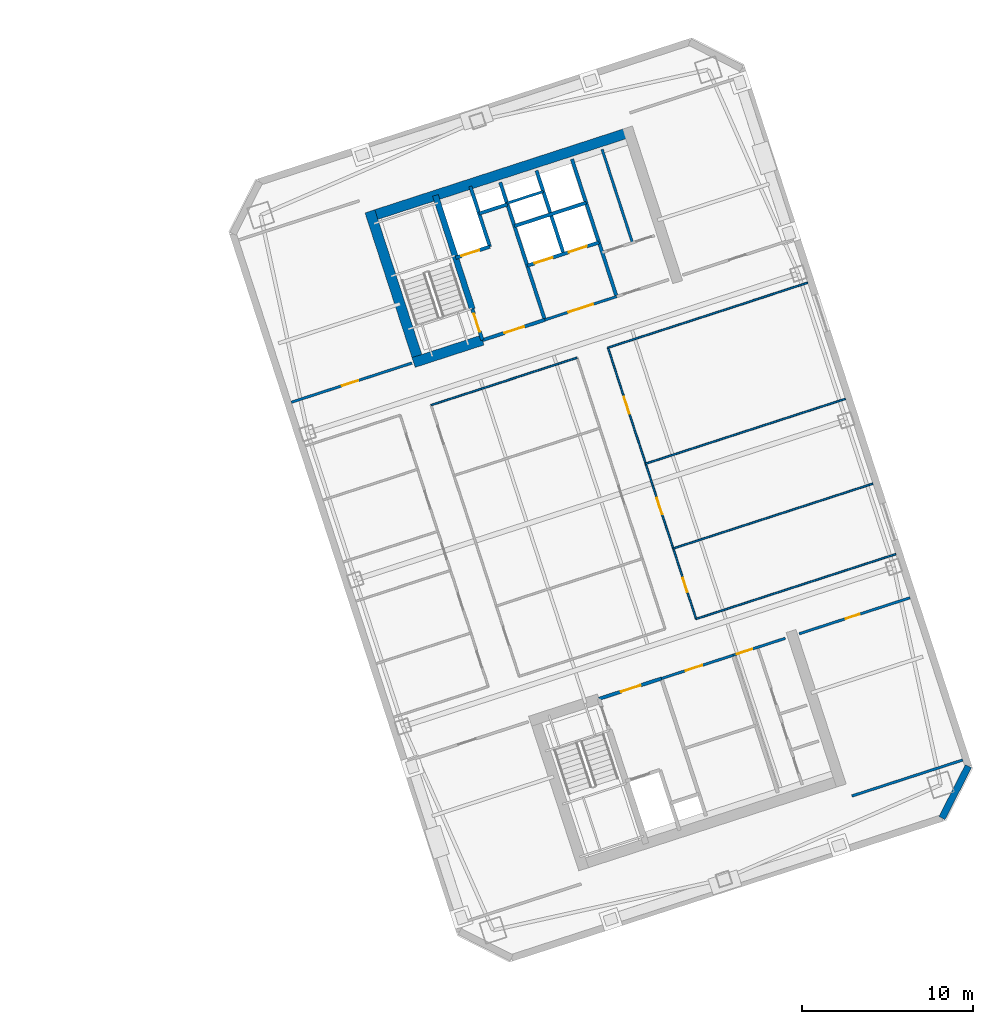
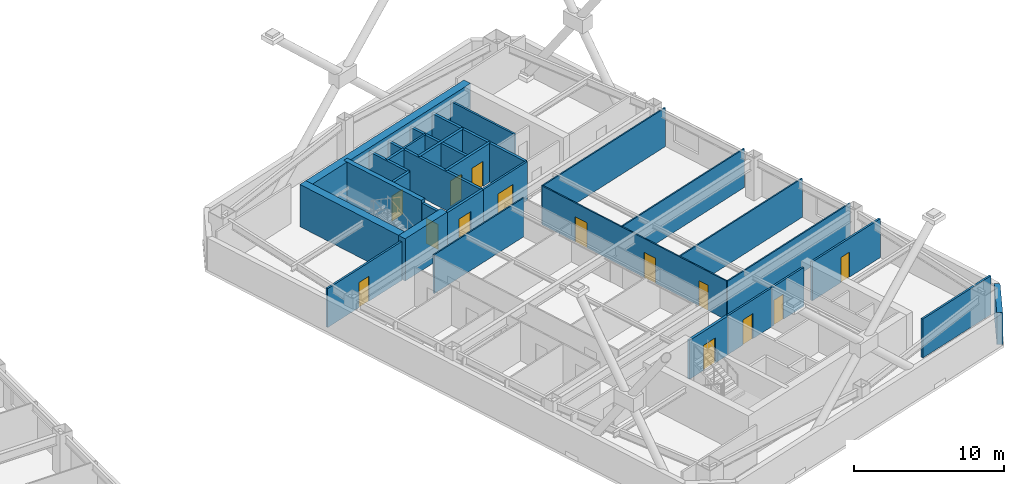
# One storey, part 10 of 14: 30 walls, 14 doors, 14 openings.
"""IFC4 building model written with IfcOpenShell, lengths in metres."""

import ifcopenshell
import ifcopenshell.guid

model = None  # the IFC model being written
_history = None  # IfcOwnerHistory: only IFC2X3 demands one
_inside = {}  # id of a spatial element -> (the spatial element, [elements in it])
_under = {}  # id of a project, library or spatial element -> (it, [spatial elements below it])
_declared = {}  # id of a project -> (the project, [libraries it declares])
_typed = {}  # id of a type object -> (the type object, [elements of that type])
_made_of = {}  # id of a material, layer set ... -> (it, [elements and type objects made of it])


def new_model(schema):
    """Start an empty IFC model of exactly this schema.

    Asked for "IFC4X3", IfcOpenShell would pick the latest addendum, in which some entities
    have other attributes; the version numbers below select the first issue.
    IFC2X3 requires an IfcOwnerHistory on every rooted entity: one is made here for all.
    """
    global model, _history
    if schema == "IFC4X3":
        model = ifcopenshell.file(schema_version=(4, 3, 0, 0))
    else:
        model = ifcopenshell.file(schema=schema)
    _inside.clear()
    _under.clear()
    _declared.clear()
    _typed.clear()
    _made_of.clear()
    _history = None
    if model.schema == "IFC2X3":
        org = make("IfcOrganization", Name="unknown")
        user = make(
            "IfcPersonAndOrganization",
            ThePerson=make("IfcPerson", FamilyName="unknown"),
            TheOrganization=org,
        )
        app = make(
            "IfcApplication",
            ApplicationDeveloper=org,
            Version="unknown",
            ApplicationFullName="unknown",
            ApplicationIdentifier="unknown",
        )
        _history = make(
            "IfcOwnerHistory",
            OwningUser=user,
            OwningApplication=app,
            ChangeAction="ADDED",
            CreationDate=0,
        )
    return model


def make(cls, **values):
    """One entity of the class cls with the attributes given. An attribute that is None is left unset."""
    return model.create_entity(
        cls, **{name: value for name, value in values.items() if value is not None}
    )


def rooted(cls, **values):
    """An entity with a GlobalId (a new one), such as an element, a storey or a relation."""
    return make(cls, GlobalId=ifcopenshell.guid.new(), OwnerHistory=_history, **values)


def si_unit(unit_type, name, prefix=None):
    """IfcSIUnit, for example si_unit("LENGTHUNIT", "METRE", prefix="MILLI")."""
    return make("IfcSIUnit", UnitType=unit_type, Prefix=prefix, Name=name)


def assignment(units):
    """IfcUnitAssignment: the units of a project."""
    return None if units is None else make("IfcUnitAssignment", Units=units)


def point(xyz):
    """IfcCartesianPoint."""
    return None if xyz is None else make("IfcCartesianPoint", Coordinates=xyz)


def direction(xyz):
    """IfcDirection."""
    return None if xyz is None else make("IfcDirection", DirectionRatios=xyz)


def frame(location, z_axis=None, x_axis=None):
    """IfcAxis2Placement3D, a coordinate frame: its origin and axes. An axis left out is left unset."""
    return make(
        "IfcAxis2Placement3D",
        Location=point(location),
        Axis=direction(z_axis),
        RefDirection=direction(x_axis),
    )


def frame_2d(location, x_axis=None):
    """IfcAxis2Placement2D, a coordinate frame in the plane: its origin and x axis."""
    return make(
        "IfcAxis2Placement2D", Location=point(location), RefDirection=direction(x_axis)
    )


def origin():
    """The frame at (0, 0, 0) with its axes left unset."""
    return frame((0.0, 0.0, 0.0))


def place(relative_to, where):
    """IfcLocalPlacement: puts the frame where relative to a parent placement (None: the world)."""
    return make(
        "IfcLocalPlacement", PlacementRelTo=relative_to, RelativePlacement=where
    )


def context(
    kind, dimensions, precision=None, world=None, true_north=None, identifier=None
):
    """IfcGeometricRepresentationContext, for example the 3D "Model" context."""
    return make(
        "IfcGeometricRepresentationContext",
        ContextIdentifier=identifier,
        ContextType=kind,
        CoordinateSpaceDimension=dimensions,
        Precision=precision,
        WorldCoordinateSystem=world,
        TrueNorth=true_north,
    )


def subcontext(parent, identifier, kind, view, scale=None):
    """IfcGeometricRepresentationSubContext, for example "Body" below "Model"."""
    return make(
        "IfcGeometricRepresentationSubContext",
        ContextIdentifier=identifier,
        ContextType=kind,
        ParentContext=parent,
        TargetScale=scale,
        TargetView=view,
    )


def project(units=None, contexts=None):
    """IfcProject with its units and contexts."""
    return rooted(
        "IfcProject",
        Name="project",
        RepresentationContexts=contexts,
        UnitsInContext=assignment(units),
    )


def spatial(cls, under=None, at=None, **own):
    """A site, building, storey or space (cls), placed at a placement, below another one or the project."""
    s = rooted(cls, ObjectPlacement=at, **own)
    if under is not None:
        _under.setdefault(under.id(), (under, []))[1].append(s)
    return s


def profile(cls, at=None, kind="AREA", **sizes):
    """A parametric profile (cls). Its sizes go by their IFC names, for example OverallWidth=200.0."""
    return make(cls, ProfileType=kind, Position=at, **sizes)


def rectangle(**sizes):
    """IfcRectangleProfileDef."""
    return profile("IfcRectangleProfileDef", **sizes)


def extrude(swept, where, along, depth):
    """IfcExtrudedAreaSolid: the profile swept, set in the frame where, extruded along a direction by depth."""
    return make(
        "IfcExtrudedAreaSolid",
        SweptArea=swept,
        Position=where,
        ExtrudedDirection=direction(along),
        Depth=depth,
    )


def shape(context_of_items, identifier, shape_type, items):
    """IfcShapeRepresentation: the items that make up one representation, for example the "Body"."""
    return make(
        "IfcShapeRepresentation",
        ContextOfItems=context_of_items,
        RepresentationIdentifier=identifier,
        RepresentationType=shape_type,
        Items=items,
    )


def material(Name=None, Category=None):
    """IfcMaterial."""
    return make("IfcMaterial", Name=Name, Category=Category)


def layer(
    of_material, thickness, ventilated=None, Name=None, Category=None, Priority=None
):
    """IfcMaterialLayer: one layer of a wall or slab, of a material (None: an air gap)."""
    return make(
        "IfcMaterialLayer",
        Material=of_material,
        LayerThickness=thickness,
        IsVentilated=ventilated,
        Name=Name,
        Category=Category,
        Priority=Priority,
    )


def layer_set(layers, Name=None):
    """IfcMaterialLayerSet."""
    return make("IfcMaterialLayerSet", MaterialLayers=layers, LayerSetName=Name)


def made_of(thing, what):
    """Note that an element or type object is made of a material, layer set ...; save() writes the relation."""
    if what is not None:
        _made_of.setdefault(what.id(), (what, []))[1].append(thing)
    return thing


def type_object(cls, material=None, **own):
    """A type object (cls), such as IfcWallType, which elements share."""
    return made_of(rooted(cls, **own), material)


def element(
    cls,
    number,
    at=None,
    inside=None,
    cuts=None,
    type_object=None,
    material=None,
    context=None,
    identifier="Body",
    shape_type=None,
    held_by="IfcProductDefinitionShape",
    body=None,
    shapes=None,
    **own,
):
    """One element of the class cls, such as IfcWall. Its Tag is "e" and its number.

    at: its placement. inside: the storey or other place that contains it. cuts: it is an
    opening in that element (IfcRelVoidsElement). A single representation is given by context,
    identifier, shape_type and body (its items); several are given by shapes. held_by: the class
    of the entity that holds the representations. save() writes the other relations.
    """
    e = rooted(cls, Tag="e%d" % number, ObjectPlacement=at, **own)
    if body is not None:
        shapes = [shape(context, identifier, shape_type, body)]
    if shapes is not None:
        e.Representation = make(held_by, Representations=shapes)
    if inside is not None:
        _inside.setdefault(inside.id(), (inside, []))[1].append(e)
    if cuts is not None:
        rooted(
            "IfcRelVoidsElement", RelatingBuildingElement=cuts, RelatedOpeningElement=e
        )
    if type_object is not None:
        _typed.setdefault(type_object.id(), (type_object, []))[1].append(e)
    return made_of(e, material)


def fill(opening, filler):
    """IfcRelFillsElement: the door or window that sits in an opening."""
    return rooted(
        "IfcRelFillsElement",
        RelatingOpeningElement=opening,
        RelatedBuildingElement=filler,
    )


def aggregate(whole, parts):
    """IfcRelAggregates: a whole, such as a stair, and the parts it consists of."""
    return rooted("IfcRelAggregates", RelatingObject=whole, RelatedObjects=parts)


def save(model, path):
    """Write the relations noted so far, then the file.

    IfcRelAggregates (storeys below a building ...), IfcRelContainedInSpatialStructure (elements
    in a storey), IfcRelDefinesByType, IfcRelAssociatesMaterial and IfcRelDeclares: one each for
    every whole, place, type object, material and project.
    """
    for whole, parts in _under.values():
        aggregate(whole, parts)
    for where, things in _inside.values():
        rooted(
            "IfcRelContainedInSpatialStructure",
            RelatedElements=things,
            RelatingStructure=where,
        )
    for kind, things in _typed.values():
        rooted("IfcRelDefinesByType", RelatedObjects=things, RelatingType=kind)
    for what, things in _made_of.values():
        rooted("IfcRelAssociatesMaterial", RelatedObjects=things, RelatingMaterial=what)
    for by, libraries in _declared.values():
        rooted("IfcRelDeclares", RelatingContext=by, RelatedDefinitions=libraries)
    model.write(path)


model = new_model("IFC4")

# Units and contexts
model_context = context("Model", 3, precision=1e-05, world=origin(), true_north=direction((0.0, 1.0)))
body_context = subcontext(model_context, "Body", "Model", "MODEL_VIEW")
ifc_project = project(units=[si_unit("LENGTHUNIT", "METRE"), si_unit("AREAUNIT", "SQUARE_METRE"), si_unit("VOLUMEUNIT", "CUBIC_METRE"), si_unit("PLANEANGLEUNIT", "RADIAN"), si_unit("MASSUNIT", "GRAM", prefix="KILO")], contexts=[model_context])

# Site, building, storey
site_placement = place(None, origin())
site = spatial("IfcSite", under=ifc_project, at=site_placement, CompositionType="ELEMENT")
building_placement = place(site_placement, origin())
building = spatial("IfcBuilding", under=site, at=building_placement, Name="Qiaolan Cultural Towers", CompositionType="ELEMENT")
storey_placement = place(building_placement, frame((0.0, 0.0, 149.5)))
storey = spatial("IfcBuildingStorey", under=building, at=storey_placement, Name="L39", CompositionType="ELEMENT", Elevation=149.5)

# Walls
ifc_material_1 = material(Name="Concrete C50", Category="concrete")
ifc_layer_1 = layer(ifc_material_1, 0.35009765625)
ifc_layer_set_1 = layer_set([ifc_layer_1], Name="Concrete C50")
wall_type_1 = type_object("IfcWallType", Name="WL-CORE-350", PredefinedType="SHEAR", material=ifc_layer_set_1)
wall_1_placement = place(storey_placement, frame((82.513671875, 45.13134765625, 0.0), z_axis=(0.0, 0.0, 1.0), x_axis=(-0.308988790936, 0.951065679686, 0.0)))
element("IfcWall", 1, at=wall_1_placement, inside=storey, type_object=wall_type_1, Name="L39 T2-CN Stair Core Dividing Web", PredefinedType="SHEAR", context=body_context, shape_type="SweptSolid", body=[
    extrude(rectangle(XDim=6.97998046875, YDim=0.35009765625, at=frame_2d((3.489990234375, 0.0))), origin(), (0.0, 0.0, 1.0), 3.449951171875),
])
ifc_material_2 = material(Name="Concrete C55", Category="concrete")
ifc_layer_2 = layer(ifc_material_2, 0.60009765625)
ifc_layer_set_2 = layer_set([ifc_layer_2], Name="Concrete C55")
wall_type_2 = type_object("IfcWallType", Name="WL-CORE-600", PredefinedType="SHEAR", material=ifc_layer_set_2)
wall_2_placement = place(storey_placement, frame((76.343505859375, 50.4658203125, 0.0), z_axis=(0.0, 0.0, 1.0), x_axis=(0.951055727519, 0.309019421968, 0.0)))
element("IfcWall", 2, at=wall_2_placement, inside=storey, type_object=wall_type_2, Name="L39 T2-CN Outer Core Shear Wall", PredefinedType="SHEAR", context=body_context, shape_type="SweptSolid", body=[
    extrude(rectangle(XDim=16.39990234375, YDim=0.60009765625, at=frame_2d((8.199951171875, 0.0))), origin(), (0.0, 0.0, 1.0), 3.449951171875),
])
wall_3_placement = place(storey_placement, frame((79.465576171875, 41.827880859375, 0.0), z_axis=(0.0, 0.0, 1.0), x_axis=(-0.309041232772, 0.951048640421, 0.0)))
element("IfcWall", 3, at=wall_3_placement, inside=storey, type_object=wall_type_2, Name="L39 T2-CN West Core Shear Wall", PredefinedType="SHEAR", context=body_context, shape_type="SweptSolid", body=[
    extrude(rectangle(XDim=9.47998046875, YDim=0.60009765625, at=frame_2d((4.739990234375, 0.0))), origin(), (0.0, 0.0, 1.0), 3.449951171875),
])
wall_4_placement = place(storey_placement, frame((79.08740234375, 42.0205078125, 0.0), z_axis=(0.0, 0.0, 1.0), x_axis=(0.951062550203, 0.3089984233, 0.0)))
element("IfcWall", 4, at=wall_4_placement, inside=storey, type_object=wall_type_2, Name="L39 T2-CN Stair Front Shear Wall", PredefinedType="SHEAR", context=body_context, shape_type="SweptSolid", body=[
    extrude(rectangle(XDim=4.219970703125, YDim=0.60009765625, at=frame_2d((2.10986328125, 0.0))), origin(), (0.0, 0.0, 1.0), 3.449951171875),
])
ifc_material_3 = material(Name="Precast Concrete C50 Honed Stone Pier", Category="masonry")
ifc_layer_3 = layer(ifc_material_3, 0.39990234375)
ifc_layer_set_3 = layer_set([ifc_layer_3], Name="Precast Concrete C50 Honed Stone Pier")
wall_type_3 = type_object("IfcWallType", Name="WL-EXT-PIER-400", PredefinedType="SOLIDWALL", material=ifc_layer_set_3)
wall_5_placement = place(storey_placement, frame((111.449462890625, 18.468017578125, 0.0), z_axis=(0.0, 0.0, 1.0), x_axis=(-0.454019523198, -0.890991735402, 0.0)))
element("IfcWall", 5, at=wall_5_placement, inside=storey, type_object=wall_type_3, Name="L39 East Tower Precast Pier Facade Wall F6", PredefinedType="SOLIDWALL", context=body_context, shape_type="SweptSolid", body=[
    extrude(rectangle(XDim=3.39404296875, YDim=0.39990234375, at=frame_2d((1.697021484375, 0.0))), origin(), (0.0, 0.0, 1.0), 2.610107421875),
])

# Wall, opening, door
ifc_material_4 = material(Name="Concrete C35 Fire Wall", Category="concrete")
ifc_layer_4 = layer(ifc_material_4, 0.199951171875)
ifc_layer_set_4 = layer_set([ifc_layer_4], Name="Concrete C35 Fire Wall")
wall_type_4 = type_object("IfcWallType", Name="WL-FIRE-200", PredefinedType="PARTITIONING", material=ifc_layer_set_4)
wall_6_placement = place(storey_placement, frame((89.8994140625, 22.401123046875, 0.0), z_axis=(0.0, 0.0, 1.0), x_axis=(0.951046716504, 0.309047153403, 0.0)))
wall_6 = element("IfcWall", 6, at=wall_6_placement, inside=storey, type_object=wall_type_4, Name="L39 T2-CS Firefighting Lobby Front Wall", PredefinedType="PARTITIONING", context=body_context, shape_type="SweptSolid", body=[
    extrude(rectangle(XDim=3.829833984375, YDim=0.199951171875, at=frame_2d((1.9150390625, 0.0))), origin(), (0.0, 0.0, 1.0), 3.175048828125),
])
opening_1_placement = place(wall_6_placement, frame((1.35009765625, 0.0, 0.0)))
opening_1 = element("IfcOpeningElement", 7, at=opening_1_placement, cuts=wall_6, Name="Opening FD-03", PredefinedType="OPENING", context=body_context, shape_type="SweptSolid", body=[
    extrude(rectangle(XDim=1.199951171875, YDim=2.050048828125, at=frame_2d((0.60009765625, 1.02490234375))), frame((0.0, 0.10986328125, 0.0), z_axis=(0.0, -1.0, 0.0), x_axis=(1.0, 0.0, 0.0)), (0.0, 0.0, 1.0), 0.219970703125),
])
ifc_material_5 = material(Name="Galvanized Steel Smokeproof Lobby Fire Door", Category="steel")
door_type_1 = type_object("IfcDoorType", Name="DR-FD90-1200", OperationType="NOTDEFINED", PredefinedType="DOOR", material=ifc_material_5)
door_1_placement = place(opening_1_placement, origin())
door_1 = element("IfcDoor", 8, at=door_1_placement, inside=storey, type_object=door_type_1, Name="L39 FFL-E1 Firefighting Lobby Fire Door", OperationType="SINGLE_SWING_LEFT", OverallHeight=2.050048828125, OverallWidth=1.199951171875, PredefinedType="DOOR", context=body_context, shape_type="SweptSolid", body=[
    extrude(rectangle(XDim=1.199951171875, YDim=2.050048828125, at=frame_2d((0.60009765625, 1.02490234375))), frame((0.0, 0.02490234375, 0.0), z_axis=(0.0, -1.0, 0.0), x_axis=(1.0, 0.0, 0.0)), (0.0, 0.0, 1.0), 0.050048828125),
])
fill(opening_1, door_1)

wall_7_placement = place(storey_placement, frame((83.100830078125, 43.324462890625, 0.0), z_axis=(0.0, 0.0, 1.0), x_axis=(-0.309048298632, 0.951046344356, 0.0)))
wall_7 = element("IfcWall", 9, at=wall_7_placement, inside=storey, type_object=wall_type_4, Name="L39 T2-CN Smokeproof Stair Entry Wall", PredefinedType="PARTITIONING", context=body_context, shape_type="SweptSolid", body=[
    extrude(rectangle(XDim=1.89990234375, YDim=0.199951171875, at=frame_2d((0.949951171875, 0.0))), origin(), (0.0, 0.0, 1.0), 3.175048828125),
])
opening_2_placement = place(wall_7_placement, frame((0.52001953125, 0.0, 0.0)))
opening_2 = element("IfcOpeningElement", 10, at=opening_2_placement, cuts=wall_7, Name="Opening FD-04", PredefinedType="OPENING", context=body_context, shape_type="SweptSolid", body=[
    extrude(rectangle(XDim=1.10009765625, YDim=2.050048828125, at=frame_2d((0.550048828125, 1.02490234375))), frame((0.0, 0.10986328125, 0.0), z_axis=(0.0, -1.0, 0.0), x_axis=(1.0, 0.0, 0.0)), (0.0, 0.0, 1.0), 0.219970703125),
])
ifc_material_6 = material(Name="Galvanized Steel Command Fire Door", Category="steel")
door_type_2 = type_object("IfcDoorType", Name="DR-FD90-1100", OperationType="NOTDEFINED", PredefinedType="DOOR", material=ifc_material_6)
door_2_placement = place(opening_2_placement, origin())
door_2 = element("IfcDoor", 11, at=door_2_placement, inside=storey, type_object=door_type_2, Name="L39 ST-E2 Smokeproof Stair Fire Door", OperationType="SINGLE_SWING_LEFT", OverallHeight=2.050048828125, OverallWidth=1.10009765625, PredefinedType="DOOR", context=body_context, shape_type="SweptSolid", body=[
    extrude(rectangle(XDim=1.10009765625, YDim=2.050048828125, at=frame_2d((0.550048828125, 1.02490234375))), frame((0.0, 0.02490234375, 0.0), z_axis=(0.0, -1.0, 0.0), x_axis=(1.0, 0.0, 0.0)), (0.0, 0.0, 1.0), 0.050048828125),
])
fill(opening_2, door_2)

# Wall
wall_8_placement = place(storey_placement, frame((86.743408203125, 44.508056640625, 0.0), z_axis=(0.0, 0.0, 1.0), x_axis=(-0.309016001439, 0.951056838919, 0.0)))
element("IfcWall", 12, at=wall_8_placement, inside=storey, type_object=wall_type_4, Name="L39 T2-CN Firefighting Zone Wall", PredefinedType="PARTITIONING", context=body_context, shape_type="SweptSolid", body=[
    extrude(rectangle(XDim=8.429931640625, YDim=0.199951171875, at=frame_2d((4.21484375, 0.0))), origin(), (0.0, 0.0, 1.0), 3.175048828125),
])

# Wall, opening, door
wall_9_placement = place(storey_placement, frame((83.100830078125, 43.324462890625, 0.0), z_axis=(0.0, 0.0, 1.0), x_axis=(0.951052804469, 0.309028417967, 0.0)))
wall_9 = element("IfcWall", 13, at=wall_9_placement, inside=storey, type_object=wall_type_4, Name="L39 T2-CN Firefighting Lobby Front Wall", PredefinedType="PARTITIONING", context=body_context, shape_type="SweptSolid", body=[
    extrude(rectangle(XDim=3.830078125, YDim=0.199951171875, at=frame_2d((1.9150390625, 0.0))), origin(), (0.0, 0.0, 1.0), 3.175048828125),
])
opening_3_placement = place(wall_9_placement, frame((1.35009765625, 0.0, 0.0)))
opening_3 = element("IfcOpeningElement", 14, at=opening_3_placement, cuts=wall_9, Name="Opening FD-03", PredefinedType="OPENING", context=body_context, shape_type="SweptSolid", body=[
    extrude(rectangle(XDim=1.199951171875, YDim=2.050048828125, at=frame_2d((0.60009765625, 1.02490234375))), frame((0.0, 0.10986328125, 0.0), z_axis=(0.0, -1.0, 0.0), x_axis=(1.0, 0.0, 0.0)), (0.0, 0.0, 1.0), 0.219970703125),
])
door_3_placement = place(opening_3_placement, origin())
door_3 = element("IfcDoor", 15, at=door_3_placement, inside=storey, type_object=door_type_1, Name="L39 FFL-E2 Firefighting Lobby Fire Door", OperationType="SINGLE_SWING_LEFT", OverallHeight=2.050048828125, OverallWidth=1.199951171875, PredefinedType="DOOR", context=body_context, shape_type="SweptSolid", body=[
    extrude(rectangle(XDim=1.199951171875, YDim=2.050048828125, at=frame_2d((0.60009765625, 1.02490234375))), frame((0.0, 0.02490234375, 0.0), z_axis=(0.0, -1.0, 0.0), x_axis=(1.0, 0.0, 0.0)), (0.0, 0.0, 1.0), 0.050048828125),
])
fill(opening_3, door_3)

wall_10_placement = place(storey_placement, frame((81.540283203125, 48.127197265625, 0.0), z_axis=(0.0, 0.0, 1.0), x_axis=(0.951062257173, 0.308999325213, 0.0)))
wall_10 = element("IfcWall", 16, at=wall_10_placement, inside=storey, type_object=wall_type_4, Name="L39 T2-CN Firefighting Shaft Front Wall", PredefinedType="PARTITIONING", context=body_context, shape_type="SweptSolid", body=[
    extrude(rectangle(XDim=2.10009765625, YDim=0.199951171875, at=frame_2d((1.050048828125, 0.0))), origin(), (0.0, 0.0, 1.0), 3.175048828125),
])
opening_4_placement = place(wall_10_placement, frame((0.35009765625, 0.0, 0.0)))
opening_4 = element("IfcOpeningElement", 17, at=opening_4_placement, cuts=wall_10, Name="Opening LD-01", PredefinedType="OPENING", context=body_context, shape_type="SweptSolid", body=[
    extrude(rectangle(XDim=1.10009765625, YDim=2.050048828125, at=frame_2d((0.550048828125, 1.02490234375))), frame((0.0, 0.10986328125, 0.0), z_axis=(0.0, -1.0, 0.0), x_axis=(1.0, 0.0, 0.0)), (0.0, 0.0, 1.0), 0.219970703125),
])
ifc_material_7 = material(Name="Brushed Stainless Steel S30408 Centre-Parting Lift Landing Door", Category="steel")
door_type_3 = type_object("IfcDoorType", Name="DR-LIFT-1100", OperationType="NOTDEFINED", PredefinedType="DOOR", material=ifc_material_7)
door_4_placement = place(opening_4_placement, origin())
door_4 = element("IfcDoor", 18, at=door_4_placement, inside=storey, type_object=door_type_3, Name="L39 FFL-E2 Firefighting Lift Landing Door", OperationType="DOUBLE_DOOR_SLIDING", OverallHeight=2.050048828125, OverallWidth=1.10009765625, PredefinedType="DOOR", context=body_context, shape_type="SweptSolid", body=[
    extrude(rectangle(XDim=1.10009765625, YDim=2.050048828125, at=frame_2d((0.550048828125, 1.02490234375))), frame((0.0, 0.02490234375, 0.0), z_axis=(0.0, -1.0, 0.0), x_axis=(1.0, 0.0, 0.0)), (0.0, 0.0, 1.0), 0.050048828125),
])
fill(opening_4, door_4)

# Walls
wall_11_placement = place(storey_placement, frame((83.53759765625, 48.776123046875, 0.0), z_axis=(0.0, 0.0, 1.0), x_axis=(-0.3089935693, 0.951064127245, 0.0)))
element("IfcWall", 19, at=wall_11_placement, inside=storey, type_object=wall_type_4, Name="L39 T2-CN Firefighting Hoistway East Wall", PredefinedType="PARTITIONING", context=body_context, shape_type="SweptSolid", body=[
    extrude(rectangle(XDim=3.7001953125, YDim=0.199951171875, at=frame_2d((1.85009765625, 0.0))), origin(), (0.0, 0.0, 1.0), 3.175048828125),
])
wall_12_placement = place(storey_placement, frame((82.910400390625, 50.706787109375, 0.0), z_axis=(0.0, 0.0, 1.0), x_axis=(0.951041328149, 0.309063734775, 0.0)))
element("IfcWall", 20, at=wall_12_placement, inside=storey, type_object=wall_type_4, Name="L39 T2-CN Pressurization Shaft Front Wall", PredefinedType="PARTITIONING", context=body_context, shape_type="SweptSolid", body=[
    extrude(rectangle(XDim=1.72998046875, YDim=0.199951171875, at=frame_2d((0.864990234375, 0.0))), origin(), (0.0, 0.0, 1.0), 3.175048828125),
])
wall_13_placement = place(storey_placement, frame((90.92822265625, 45.86767578125, 0.0), z_axis=(0.0, 0.0, 1.0), x_axis=(-0.309042196757, 0.951048327176, 0.0)))
element("IfcWall", 21, at=wall_13_placement, inside=storey, type_object=wall_type_4, Name="L39 T2-CN Lift Core East Wall", PredefinedType="PARTITIONING", context=body_context, shape_type="SweptSolid", body=[
    extrude(rectangle(XDim=8.429931640625, YDim=0.199951171875, at=frame_2d((4.21484375, 0.0))), origin(), (0.0, 0.0, 1.0), 3.175048828125),
])

# Wall, openings, doors
wall_14_placement = place(storey_placement, frame((85.717529296875, 47.66552734375, 0.0), z_axis=(0.0, 0.0, 1.0), x_axis=(0.951058531764, 0.30901079133, 0.0)))
wall_14 = element("IfcWall", 22, at=wall_14_placement, inside=storey, type_object=wall_type_4, Name="L39 T2-CN Passenger Lift Shaft Front Wall", PredefinedType="PARTITIONING", context=body_context, shape_type="SweptSolid", body=[
    extrude(rectangle(XDim=4.39990234375, YDim=0.199951171875, at=frame_2d((2.199951171875, 0.0))), origin(), (0.0, 0.0, 1.0), 3.175048828125),
])
opening_5_placement = place(wall_14_placement, frame((0.449951171875, 0.0, 0.0)))
opening_5 = element("IfcOpeningElement", 23, at=opening_5_placement, cuts=wall_14, Name="Opening LD-01", PredefinedType="OPENING", context=body_context, shape_type="SweptSolid", body=[
    extrude(rectangle(XDim=1.10009765625, YDim=2.050048828125, at=frame_2d((0.550048828125, 1.02490234375))), frame((0.0, 0.10986328125, 0.0), z_axis=(0.0, -1.0, 0.0), x_axis=(1.0, 0.0, 0.0)), (0.0, 0.0, 1.0), 0.219970703125),
])
opening_6_placement = place(wall_14_placement, frame((2.550048828125, 0.0, 0.0)))
opening_6 = element("IfcOpeningElement", 24, at=opening_6_placement, cuts=wall_14, Name="Opening LD-01", PredefinedType="OPENING", context=body_context, shape_type="SweptSolid", body=[
    extrude(rectangle(XDim=1.10009765625, YDim=2.050048828125, at=frame_2d((0.550048828125, 1.02490234375))), frame((0.0, 0.10986328125, 0.0), z_axis=(0.0, -1.0, 0.0), x_axis=(1.0, 0.0, 0.0)), (0.0, 0.0, 1.0), 0.219970703125),
])
door_5_placement = place(opening_5_placement, origin())
door_5 = element("IfcDoor", 25, at=door_5_placement, inside=storey, type_object=door_type_3, Name="L39 Passenger Lift 1 Landing Door", OperationType="DOUBLE_DOOR_SLIDING", OverallHeight=2.050048828125, OverallWidth=1.10009765625, PredefinedType="DOOR", context=body_context, shape_type="SweptSolid", body=[
    extrude(rectangle(XDim=1.10009765625, YDim=2.050048828125, at=frame_2d((0.550048828125, 1.02490234375))), frame((0.0, 0.02490234375, 0.0), z_axis=(0.0, -1.0, 0.0), x_axis=(1.0, 0.0, 0.0)), (0.0, 0.0, 1.0), 0.050048828125),
])
fill(opening_5, door_5)
door_6_placement = place(opening_6_placement, origin())
door_6 = element("IfcDoor", 26, at=door_6_placement, inside=storey, type_object=door_type_3, Name="L39 Passenger Lift 2 Landing Door", OperationType="DOUBLE_DOOR_SLIDING", OverallHeight=2.050048828125, OverallWidth=1.10009765625, PredefinedType="DOOR", context=body_context, shape_type="SweptSolid", body=[
    extrude(rectangle(XDim=1.10009765625, YDim=2.050048828125, at=frame_2d((0.550048828125, 1.02490234375))), frame((0.0, 0.02490234375, 0.0), z_axis=(0.0, -1.0, 0.0), x_axis=(1.0, 0.0, 0.0)), (0.0, 0.0, 1.0), 0.050048828125),
])
fill(opening_6, door_6)

# Walls
wall_15_placement = place(storey_placement, frame((87.83837890625, 48.3544921875, 0.0), z_axis=(0.0, 0.0, 1.0), x_axis=(-0.3090093719, 0.951058992953, 0.0)))
element("IfcWall", 27, at=wall_15_placement, inside=storey, type_object=wall_type_4, Name="L39 T2-CN Lift Shaft Divider Wall", PredefinedType="PARTITIONING", context=body_context, shape_type="SweptSolid", body=[
    extrude(rectangle(XDim=5.110107421875, YDim=0.199951171875, at=frame_2d((2.55517578125, 0.0))), origin(), (0.0, 0.0, 1.0), 3.175048828125),
])
wall_16_placement = place(storey_placement, frame((84.966552734375, 49.9765625, 0.0), z_axis=(0.0, 0.0, 1.0), x_axis=(0.951063829732, 0.308994485023, 0.0)))
element("IfcWall", 28, at=wall_16_placement, inside=storey, type_object=wall_type_4, Name="L39 T2-CN Passenger Lift Shaft Back Wall", PredefinedType="PARTITIONING", context=body_context, shape_type="SweptSolid", body=[
    extrude(rectangle(XDim=4.400146484375, YDim=0.199951171875, at=frame_2d((2.2001953125, 0.0))), origin(), (0.0, 0.0, 1.0), 3.175048828125),
])
ifc_material_8 = material(Name="Acoustic Double-Glazed Partition Frame", Category="glass")
ifc_layer_5 = layer(ifc_material_8, 0.10009765625)
ifc_layer_set_5 = layer_set([ifc_layer_5], Name="Acoustic Double-Glazed Partition Frame")
wall_type_5 = type_object("IfcWallType", Name="WL-GLAZED-100", PredefinedType="MOVABLE", material=ifc_layer_set_5)
wall_17_placement = place(storey_placement, frame((95.56689453125, 27.060546875, 0.0), z_axis=(0.0, 0.0, 1.0), x_axis=(0.9510516424, 0.30903199428, 0.0)))
element("IfcWall", 29, at=wall_17_placement, inside=storey, type_object=wall_type_5, Name="L39 T2 Interior Wall", PredefinedType="MOVABLE", context=body_context, shape_type="SweptSolid", body=[
    extrude(rectangle(XDim=12.25, YDim=0.10009765625, at=frame_2d((6.125, 0.0))), origin(), (0.0, 0.0, 1.0), 3.175048828125),
])
wall_18_placement = place(storey_placement, frame((80.10595703125, 39.533447265625, 0.0), z_axis=(0.0, 0.0, 1.0), x_axis=(0.951059123431, 0.309008970321, 0.0)))
element("IfcWall", 30, at=wall_18_placement, inside=storey, type_object=wall_type_5, Name="L39 T2 Interior Wall", PredefinedType="MOVABLE", context=body_context, shape_type="SweptSolid", body=[
    extrude(rectangle(XDim=8.949951171875, YDim=0.10009765625, at=frame_2d((4.47509765625, 0.0))), origin(), (0.0, 0.0, 1.0), 3.175048828125),
])
wall_19_placement = place(storey_placement, frame((90.4248046875, 42.88623046875, 0.0), z_axis=(0.0, 0.0, 1.0), x_axis=(0.95105749975, 0.309013967595, 0.0)))
element("IfcWall", 31, at=wall_19_placement, inside=storey, type_object=wall_type_5, Name="L39 T2 Interior Wall", PredefinedType="MOVABLE", context=body_context, shape_type="SweptSolid", body=[
    extrude(rectangle(XDim=12.25, YDim=0.10009765625, at=frame_2d((6.125, 0.0))), origin(), (0.0, 0.0, 1.0), 3.175048828125),
])

# Wall, openings, doors
wall_20_placement = place(storey_placement, frame((95.56689453125, 27.060546875, 0.0), z_axis=(0.0, 0.0, 1.0), x_axis=(-0.30901773025, 0.951056277195, 0.0)))
wall_20 = element("IfcWall", 32, at=wall_20_placement, inside=storey, type_object=wall_type_5, Name="L39 T2 Interior Wall", PredefinedType="MOVABLE", context=body_context, shape_type="SweptSolid", body=[
    extrude(rectangle(XDim=16.64013671875, YDim=0.10009765625, at=frame_2d((8.320068359375, 0.0))), origin(), (0.0, 0.0, 1.0), 3.175048828125),
])
opening_7_placement = place(wall_20_placement, frame((1.659912109375, 0.0, 0.0)))
opening_7 = element("IfcOpeningElement", 33, at=opening_7_placement, cuts=wall_20, Name="Opening ID-09", PredefinedType="OPENING", context=body_context, shape_type="SweptSolid", body=[
    extrude(rectangle(XDim=0.85009765625, YDim=2.050048828125, at=frame_2d((0.425048828125, 1.02490234375))), frame((0.0, 0.06005859375, 0.0), z_axis=(0.0, -1.0, 0.0), x_axis=(1.0, 0.0, 0.0)), (0.0, 0.0, 1.0), 0.1201171875),
])
opening_8_placement = place(wall_20_placement, frame((6.419921875, 0.0, 0.0)))
opening_8 = element("IfcOpeningElement", 34, at=opening_8_placement, cuts=wall_20, Name="Opening ID-04", PredefinedType="OPENING", context=body_context, shape_type="SweptSolid", body=[
    extrude(rectangle(XDim=1.0, YDim=2.050048828125, at=frame_2d((0.5, 1.02490234375))), frame((0.0, 0.06005859375, 0.0), z_axis=(0.0, -1.0, 0.0), x_axis=(1.0, 0.0, 0.0)), (0.0, 0.0, 1.0), 0.1201171875),
])
opening_9_placement = place(wall_20_placement, frame((12.580078125, 0.0, 0.0)))
opening_9 = element("IfcOpeningElement", 35, at=opening_9_placement, cuts=wall_20, Name="Opening ID-07", PredefinedType="OPENING", context=body_context, shape_type="SweptSolid", body=[
    extrude(rectangle(XDim=1.050048828125, YDim=2.050048828125, at=frame_2d((0.52490234375, 1.02490234375))), frame((0.0, 0.06005859375, 0.0), z_axis=(0.0, -1.0, 0.0), x_axis=(1.0, 0.0, 0.0)), (0.0, 0.0, 1.0), 0.1201171875),
])
ifc_material_9 = material(Name="Oak Veneer Acoustic Office Door", Category="timber")
door_type_4 = type_object("IfcDoorType", Name="DR-INT-1000", OperationType="NOTDEFINED", PredefinedType="DOOR", material=ifc_material_9)
door_7_placement = place(opening_8_placement, origin())
door_7 = element("IfcDoor", 36, at=door_7_placement, inside=storey, type_object=door_type_4, Name="L39 T2 Urban Exhibition Hall Door", OperationType="SINGLE_SWING_LEFT", OverallHeight=2.050048828125, OverallWidth=1.0, PredefinedType="DOOR", context=body_context, shape_type="SweptSolid", body=[
    extrude(rectangle(XDim=1.0, YDim=2.050048828125, at=frame_2d((0.5, 1.02490234375))), frame((0.0, 0.02490234375, 0.0), z_axis=(0.0, -1.0, 0.0), x_axis=(1.0, 0.0, 0.0)), (0.0, 0.0, 1.0), 0.050048828125),
])
fill(opening_8, door_7)
ifc_material_10 = material(Name="Oak Veneer Consultation Door", Category="timber")
door_type_5 = type_object("IfcDoorType", Name="DR-INT-1050", OperationType="NOTDEFINED", PredefinedType="DOOR", material=ifc_material_10)
door_8_placement = place(opening_9_placement, origin())
door_8 = element("IfcDoor", 37, at=door_8_placement, inside=storey, type_object=door_type_5, Name="L39 T2 Print & Book Counter Door", OperationType="SINGLE_SWING_RIGHT", OverallHeight=2.050048828125, OverallWidth=1.050048828125, PredefinedType="DOOR", context=body_context, shape_type="SweptSolid", body=[
    extrude(rectangle(XDim=1.050048828125, YDim=2.050048828125, at=frame_2d((0.52490234375, 1.02490234375))), frame((0.0, 0.02490234375, 0.0), z_axis=(0.0, -1.0, 0.0), x_axis=(1.0, 0.0, 0.0)), (0.0, 0.0, 1.0), 0.050048828125),
])
fill(opening_9, door_8)
ifc_material_11 = material(Name="Moisture-Resistant Laminate Utility Door", Category="timber")
door_type_6 = type_object("IfcDoorType", Name="DR-INT-850", OperationType="NOTDEFINED", PredefinedType="DOOR", material=ifc_material_11)
door_9_placement = place(opening_7_placement, origin())
door_9 = element("IfcDoor", 38, at=door_9_placement, inside=storey, type_object=door_type_6, Name="L39 T2 Urban Exhibition Hall Door", OperationType="SINGLE_SWING_RIGHT", OverallHeight=2.050048828125, OverallWidth=0.85009765625, PredefinedType="DOOR", context=body_context, shape_type="SweptSolid", body=[
    extrude(rectangle(XDim=0.85009765625, YDim=2.050048828125, at=frame_2d((0.425048828125, 1.02490234375))), frame((0.0, 0.02490234375, 0.0), z_axis=(0.0, -1.0, 0.0), x_axis=(1.0, 0.0, 0.0)), (0.0, 0.0, 1.0), 0.050048828125),
])
fill(opening_7, door_9)

# Walls
for number, where, z_axis, x_axis, name in (
    (39, (94.23193359375, 31.169189453125, 0.0), (0.0, 0.0, 1.0), (0.95105749975, 0.309013967595, 0.0), "L39 T2 Interior Wall"),
    (40, (92.625, 36.11474609375, 0.0), (0.0, 0.0, 1.0), (0.95105749975, 0.309013967595, 0.0), "L39 T2 Interior Wall"),
):
    element("IfcWall", number, at=place(storey_placement, frame(where, z_axis=z_axis, x_axis=x_axis)), inside=storey, type_object=wall_type_5, Name=name, PredefinedType="MOVABLE", context=body_context, shape_type="SweptSolid", body=[
        extrude(rectangle(XDim=12.25, YDim=0.10009765625, at=frame_2d((6.125, 0.0))), origin(), (0.0, 0.0, 1.0), 3.175048828125),
    ])

# Wall, opening, door
ifc_material_12 = material(Name="Autoclaved Aerated Concrete Block B06", Category="concrete")
ifc_layer_6 = layer(ifc_material_12, 0.14990234375)
ifc_layer_set_6 = layer_set([ifc_layer_6], Name="Autoclaved Aerated Concrete Block B06")
wall_type_6 = type_object("IfcWallType", Name="WL-PART-150", PredefinedType="PARTITIONING", material=ifc_layer_set_6)
wall_21_placement = place(storey_placement, frame((93.541748046875, 23.584716796875, 0.0), z_axis=(0.0, 0.0, 1.0), x_axis=(0.951063829732, 0.308994485023, 0.0)))
wall_21 = element("IfcWall", 41, at=wall_21_placement, inside=storey, type_object=wall_type_6, Name="L39 T2-CS Reclaimed Core Room Front Wall", PredefinedType="PARTITIONING", context=body_context, shape_type="SweptSolid", body=[
    extrude(rectangle(XDim=4.400146484375, YDim=0.14990234375, at=frame_2d((2.2001953125, 0.0))), origin(), (0.0, 0.0, 1.0), 3.175048828125),
])
opening_10_placement = place(wall_21_placement, frame((1.5, 0.0, 0.0)))
opening_10 = element("IfcOpeningElement", 42, at=opening_10_placement, cuts=wall_21, Name="Opening ID-04", PredefinedType="OPENING", context=body_context, shape_type="SweptSolid", body=[
    extrude(rectangle(XDim=1.0, YDim=2.050048828125, at=frame_2d((0.5, 1.02490234375))), frame((0.0, 0.0849609375, 0.0), z_axis=(0.0, -1.0, 0.0), x_axis=(1.0, 0.0, 0.0)), (0.0, 0.0, 1.0), 0.169921875),
])
door_10_placement = place(opening_10_placement, origin())
door_10 = element("IfcDoor", 43, at=door_10_placement, inside=storey, type_object=door_type_4, Name="L39 Focus Pod Room Door", OperationType="SINGLE_SWING_LEFT", OverallHeight=2.050048828125, OverallWidth=1.0, PredefinedType="DOOR", context=body_context, shape_type="SweptSolid", body=[
    extrude(rectangle(XDim=1.0, YDim=2.050048828125, at=frame_2d((0.5, 1.02490234375))), frame((0.0, 0.02490234375, 0.0), z_axis=(0.0, -1.0, 0.0), x_axis=(1.0, 0.0, 0.0)), (0.0, 0.0, 1.0), 0.050048828125),
])
fill(opening_10, door_10)

wall_22_placement = place(storey_placement, frame((97.7265625, 24.9443359375, 0.0), z_axis=(0.0, 0.0, 1.0), x_axis=(0.951036872128, 0.309077446369, 0.0)))
wall_22 = element("IfcWall", 44, at=wall_22_placement, inside=storey, type_object=wall_type_6, Name="L39 T2-CS Sanitary Core Front Wall", PredefinedType="PARTITIONING", context=body_context, shape_type="SweptSolid", body=[
    extrude(rectangle(XDim=3.199951171875, YDim=0.14990234375, at=frame_2d((1.60009765625, 0.0))), origin(), (0.0, 0.0, 1.0), 3.175048828125),
])
opening_11_placement = place(wall_22_placement, frame((0.219970703125, 0.0, 0.0)))
opening_11 = element("IfcOpeningElement", 45, at=opening_11_placement, cuts=wall_22, Name="Opening ID-05", PredefinedType="OPENING", context=body_context, shape_type="SweptSolid", body=[
    extrude(rectangle(XDim=0.949951171875, YDim=2.050048828125, at=frame_2d((0.47509765625, 1.02490234375))), frame((0.0, 0.0849609375, 0.0), z_axis=(0.0, -1.0, 0.0), x_axis=(1.0, 0.0, 0.0)), (0.0, 0.0, 1.0), 0.169921875),
])
ifc_material_13 = material(Name="Fire-Rated Laminate Accessible Core Door", Category="timber")
door_type_7 = type_object("IfcDoorType", Name="DR-INT-950", OperationType="NOTDEFINED", PredefinedType="DOOR", material=ifc_material_13)
door_11_placement = place(opening_11_placement, origin())
door_11 = element("IfcDoor", 46, at=door_11_placement, inside=storey, type_object=door_type_7, Name="L39 Sanitary Vestibule Door", OperationType="SINGLE_SWING_LEFT", OverallHeight=2.050048828125, OverallWidth=0.949951171875, PredefinedType="DOOR", context=body_context, shape_type="SweptSolid", body=[
    extrude(rectangle(XDim=0.949951171875, YDim=2.050048828125, at=frame_2d((0.47509765625, 1.02490234375))), frame((0.0, 0.02490234375, 0.0), z_axis=(0.0, -1.0, 0.0), x_axis=(1.0, 0.0, 0.0)), (0.0, 0.0, 1.0), 0.050048828125),
])
fill(opening_11, door_11)

wall_23_placement = place(storey_placement, frame((86.743408203125, 44.508056640625, 0.0), z_axis=(0.0, 0.0, 1.0), x_axis=(0.951063829732, 0.308994485023, 0.0)))
wall_23 = element("IfcWall", 47, at=wall_23_placement, inside=storey, type_object=wall_type_6, Name="L39 T2-CN Passenger Lift Lobby Front Wall", PredefinedType="PARTITIONING", context=body_context, shape_type="SweptSolid", body=[
    extrude(rectangle(XDim=4.400146484375, YDim=0.14990234375, at=frame_2d((2.2001953125, 0.0))), origin(), (0.0, 0.0, 1.0), 3.175048828125),
])
opening_12_placement = place(wall_23_placement, frame((1.449951171875, 0.0, 0.0)))
opening_12 = element("IfcOpeningElement", 48, at=opening_12_placement, cuts=wall_23, Name="Opening FD-05", PredefinedType="OPENING", context=body_context, shape_type="SweptSolid", body=[
    extrude(rectangle(XDim=1.5, YDim=2.050048828125, at=frame_2d((0.75, 1.02490234375))), frame((0.0, 0.0849609375, 0.0), z_axis=(0.0, -1.0, 0.0), x_axis=(1.0, 0.0, 0.0)), (0.0, 0.0, 1.0), 0.169921875),
])
ifc_material_14 = material(Name="Painted Steel Lift Lobby Fire Door", Category="steel")
door_type_8 = type_object("IfcDoorType", Name="DR-FD60-1500", OperationType="NOTDEFINED", PredefinedType="DOOR", material=ifc_material_14)
door_12_placement = place(opening_12_placement, origin())
door_12 = element("IfcDoor", 49, at=door_12_placement, inside=storey, type_object=door_type_8, Name="L39 Passenger Lift Lobby Entrance", OperationType="SINGLE_SWING_LEFT", OverallHeight=2.050048828125, OverallWidth=1.5, PredefinedType="DOOR", context=body_context, shape_type="SweptSolid", body=[
    extrude(rectangle(XDim=1.5, YDim=2.050048828125, at=frame_2d((0.75, 1.02490234375))), frame((0.0, 0.02490234375, 0.0), z_axis=(0.0, -1.0, 0.0), x_axis=(1.0, 0.0, 0.0)), (0.0, 0.0, 1.0), 0.050048828125),
])
fill(opening_12, door_12)

# Walls
wall_24_placement = place(storey_placement, frame((84.533935546875, 51.30810546875, 0.0), z_axis=(0.0, 0.0, 1.0), x_axis=(0.951075093106, 0.308959814982, 0.0)))
element("IfcWall", 50, at=wall_24_placement, inside=storey, type_object=wall_type_6, Name="L39 T2-CN Core Rear Riser Split", PredefinedType="PARTITIONING", context=body_context, shape_type="SweptSolid", body=[
    extrude(rectangle(XDim=2.22998046875, YDim=0.14990234375, at=frame_2d((1.114990234375, 0.0))), origin(), (0.0, 0.0, 1.0), 3.175048828125),
])
wall_25_placement = place(storey_placement, frame((91.853271484375, 49.007080078125, 0.0), z_axis=(0.0, 0.0, 1.0), x_axis=(-0.309022487551, 0.951054731437, 0.0)))
element("IfcWall", 51, at=wall_25_placement, inside=storey, type_object=wall_type_6, Name="L39 T2-CN Restroom Divider Wall", PredefinedType="PARTITIONING", context=body_context, shape_type="SweptSolid", body=[
    extrude(rectangle(XDim=5.730224609375, YDim=0.14990234375, at=frame_2d((2.865234375, 0.0))), origin(), (0.0, 0.0, 1.0), 3.175048828125),
])
wall_26_placement = place(storey_placement, frame((104.653076171875, 16.73291015625, 0.0), z_axis=(0.0, 0.0, 1.0), x_axis=(0.951054383043, 0.309023559774, 0.0)))
element("IfcWall", 52, at=wall_26_placement, inside=storey, type_object=wall_type_6, Name="L39 T2 Flank Wall FLK-SE", PredefinedType="PARTITIONING", context=body_context, shape_type="SweptSolid", body=[
    extrude(rectangle(XDim=6.7998046875, YDim=0.14990234375, at=frame_2d((3.39990234375, 0.0))), origin(), (0.0, 0.0, 1.0), 3.175048828125),
])

# Wall, opening, door
wall_27_placement = place(storey_placement, frame((101.578369140625, 26.196044921875, 0.0), z_axis=(0.0, 0.0, 1.0), x_axis=(0.951064934653, 0.308991084134, 0.0)))
wall_27 = element("IfcWall", 53, at=wall_27_placement, inside=storey, type_object=wall_type_6, Name="L39 T2 Flank Front FLK-SE", PredefinedType="PARTITIONING", context=body_context, shape_type="SweptSolid", body=[
    extrude(rectangle(XDim=6.7998046875, YDim=0.14990234375, at=frame_2d((3.39990234375, 0.0))), origin(), (0.0, 0.0, 1.0), 3.175048828125),
])
opening_13_placement = place(wall_27_placement, frame((2.85595703125, 0.0, 0.0)))
opening_13 = element("IfcOpeningElement", 54, at=opening_13_placement, cuts=wall_27, Name="Opening ID-09", PredefinedType="OPENING", context=body_context, shape_type="SweptSolid", body=[
    extrude(rectangle(XDim=0.85009765625, YDim=2.050048828125, at=frame_2d((0.425048828125, 1.02490234375))), frame((0.0, 0.0849609375, 0.0), z_axis=(0.0, -1.0, 0.0), x_axis=(1.0, 0.0, 0.0)), (0.0, 0.0, 1.0), 0.169921875),
])
door_13_placement = place(opening_13_placement, origin())
door_13 = element("IfcDoor", 55, at=door_13_placement, inside=storey, type_object=door_type_6, Name="L39 T2 Corner Studio Door", OperationType="SINGLE_SWING_LEFT", OverallHeight=2.050048828125, OverallWidth=0.85009765625, PredefinedType="DOOR", context=body_context, shape_type="SweptSolid", body=[
    extrude(rectangle(XDim=0.85009765625, YDim=2.050048828125, at=frame_2d((0.425048828125, 1.02490234375))), frame((0.0, 0.02490234375, 0.0), z_axis=(0.0, -1.0, 0.0), x_axis=(1.0, 0.0, 0.0)), (0.0, 0.0, 1.0), 0.050048828125),
])
fill(opening_13, door_13)

wall_28_placement = place(storey_placement, frame((71.95458984375, 39.702880859375, 0.0), z_axis=(0.0, 0.0, 1.0), x_axis=(0.951060977215, 0.309003264738, 0.0)))
wall_28 = element("IfcWall", 56, at=wall_28_placement, inside=storey, type_object=wall_type_6, Name="L39 T2 Flank Front FLK-NW", PredefinedType="PARTITIONING", context=body_context, shape_type="SweptSolid", body=[
    extrude(rectangle(XDim=7.39990234375, YDim=0.14990234375, at=frame_2d((3.699951171875, 0.0))), origin(), (0.0, 0.0, 1.0), 3.175048828125),
])
opening_14_placement = place(wall_28_placement, frame((3.10791015625, 0.0, 0.0)))
opening_14 = element("IfcOpeningElement", 57, at=opening_14_placement, cuts=wall_28, Name="Opening ID-04", PredefinedType="OPENING", context=body_context, shape_type="SweptSolid", body=[
    extrude(rectangle(XDim=1.0, YDim=2.050048828125, at=frame_2d((0.5, 1.02490234375))), frame((0.0, 0.0849609375, 0.0), z_axis=(0.0, -1.0, 0.0), x_axis=(1.0, 0.0, 0.0)), (0.0, 0.0, 1.0), 0.169921875),
])
door_14_placement = place(opening_14_placement, origin())
door_14 = element("IfcDoor", 58, at=door_14_placement, inside=storey, type_object=door_type_4, Name="L39 T2 Corner Studio Door", OperationType="SINGLE_SWING_LEFT", OverallHeight=2.050048828125, OverallWidth=1.0, PredefinedType="DOOR", context=body_context, shape_type="SweptSolid", body=[
    extrude(rectangle(XDim=1.0, YDim=2.050048828125, at=frame_2d((0.5, 1.02490234375))), frame((0.0, 0.02490234375, 0.0), z_axis=(0.0, -1.0, 0.0), x_axis=(1.0, 0.0, 0.0)), (0.0, 0.0, 1.0), 0.050048828125),
])
fill(opening_14, door_14)

save(model, "model.ifc")
